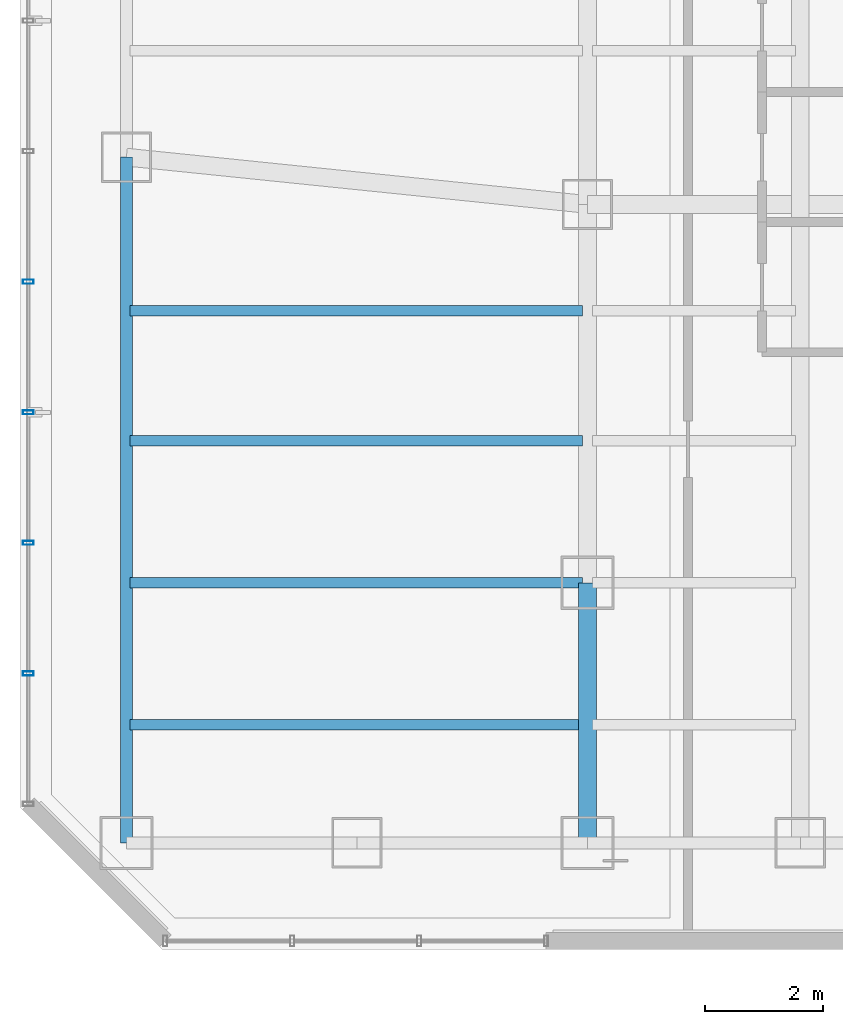
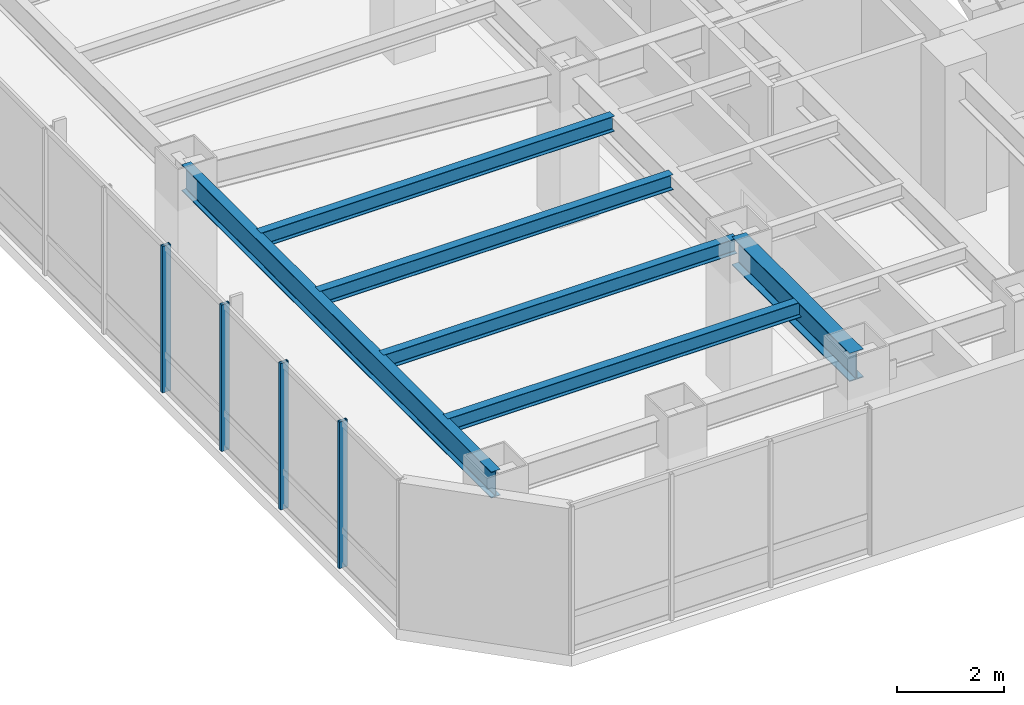
# One storey, part 4 of 29: 6 beams, 4 members, 1 element without a shape of its own.
"""IFC4 building model written with IfcOpenShell, lengths in metres."""

import ifcopenshell
import ifcopenshell.guid

model = None  # the IFC model being written
_history = None  # IfcOwnerHistory: only IFC2X3 demands one
_inside = {}  # id of a spatial element -> (the spatial element, [elements in it])
_under = {}  # id of a project, library or spatial element -> (it, [spatial elements below it])
_declared = {}  # id of a project -> (the project, [libraries it declares])
_typed = {}  # id of a type object -> (the type object, [elements of that type])
_made_of = {}  # id of a material, layer set ... -> (it, [elements and type objects made of it])


def new_model(schema):
    """Start an empty IFC model of exactly this schema.

    Asked for "IFC4X3", IfcOpenShell would pick the latest addendum, in which some entities
    have other attributes; the version numbers below select the first issue.
    IFC2X3 requires an IfcOwnerHistory on every rooted entity: one is made here for all.
    """
    global model, _history
    if schema == "IFC4X3":
        model = ifcopenshell.file(schema_version=(4, 3, 0, 0))
    else:
        model = ifcopenshell.file(schema=schema)
    _inside.clear()
    _under.clear()
    _declared.clear()
    _typed.clear()
    _made_of.clear()
    _history = None
    if model.schema == "IFC2X3":
        org = make("IfcOrganization", Name="unknown")
        user = make(
            "IfcPersonAndOrganization",
            ThePerson=make("IfcPerson", FamilyName="unknown"),
            TheOrganization=org,
        )
        app = make(
            "IfcApplication",
            ApplicationDeveloper=org,
            Version="unknown",
            ApplicationFullName="unknown",
            ApplicationIdentifier="unknown",
        )
        _history = make(
            "IfcOwnerHistory",
            OwningUser=user,
            OwningApplication=app,
            ChangeAction="ADDED",
            CreationDate=0,
        )
    return model


def make(cls, **values):
    """One entity of the class cls with the attributes given. An attribute that is None is left unset."""
    return model.create_entity(
        cls, **{name: value for name, value in values.items() if value is not None}
    )


def rooted(cls, **values):
    """An entity with a GlobalId (a new one), such as an element, a storey or a relation."""
    return make(cls, GlobalId=ifcopenshell.guid.new(), OwnerHistory=_history, **values)


def si_unit(unit_type, name, prefix=None):
    """IfcSIUnit, for example si_unit("LENGTHUNIT", "METRE", prefix="MILLI")."""
    return make("IfcSIUnit", UnitType=unit_type, Prefix=prefix, Name=name)


def assignment(units):
    """IfcUnitAssignment: the units of a project."""
    return None if units is None else make("IfcUnitAssignment", Units=units)


def point(xyz):
    """IfcCartesianPoint."""
    return None if xyz is None else make("IfcCartesianPoint", Coordinates=xyz)


def direction(xyz):
    """IfcDirection."""
    return None if xyz is None else make("IfcDirection", DirectionRatios=xyz)


def frame(location, z_axis=None, x_axis=None):
    """IfcAxis2Placement3D, a coordinate frame: its origin and axes. An axis left out is left unset."""
    return make(
        "IfcAxis2Placement3D",
        Location=point(location),
        Axis=direction(z_axis),
        RefDirection=direction(x_axis),
    )


def frame_2d(location, x_axis=None):
    """IfcAxis2Placement2D, a coordinate frame in the plane: its origin and x axis."""
    return make(
        "IfcAxis2Placement2D", Location=point(location), RefDirection=direction(x_axis)
    )


def origin():
    """The frame at (0, 0, 0) with its axes left unset."""
    return frame((0.0, 0.0, 0.0))


def origin_2d():
    """The frame at (0, 0) in the plane with its x axis left unset."""
    return frame_2d((0.0, 0.0))


def place(relative_to, where):
    """IfcLocalPlacement: puts the frame where relative to a parent placement (None: the world)."""
    return make(
        "IfcLocalPlacement", PlacementRelTo=relative_to, RelativePlacement=where
    )


def context(
    kind, dimensions, precision=None, world=None, true_north=None, identifier=None
):
    """IfcGeometricRepresentationContext, for example the 3D "Model" context."""
    return make(
        "IfcGeometricRepresentationContext",
        ContextIdentifier=identifier,
        ContextType=kind,
        CoordinateSpaceDimension=dimensions,
        Precision=precision,
        WorldCoordinateSystem=world,
        TrueNorth=true_north,
    )


def subcontext(parent, identifier, kind, view, scale=None):
    """IfcGeometricRepresentationSubContext, for example "Body" below "Model"."""
    return make(
        "IfcGeometricRepresentationSubContext",
        ContextIdentifier=identifier,
        ContextType=kind,
        ParentContext=parent,
        TargetScale=scale,
        TargetView=view,
    )


def project(units=None, contexts=None):
    """IfcProject with its units and contexts."""
    return rooted(
        "IfcProject",
        Name="project",
        RepresentationContexts=contexts,
        UnitsInContext=assignment(units),
    )


def spatial(cls, under=None, at=None, **own):
    """A site, building, storey or space (cls), placed at a placement, below another one or the project."""
    s = rooted(cls, ObjectPlacement=at, **own)
    if under is not None:
        _under.setdefault(under.id(), (under, []))[1].append(s)
    return s


def profile(cls, at=None, kind="AREA", **sizes):
    """A parametric profile (cls). Its sizes go by their IFC names, for example OverallWidth=200.0."""
    return make(cls, ProfileType=kind, Position=at, **sizes)


def hollow_rectangle(**sizes):
    """IfcRectangleHollowProfileDef."""
    return profile("IfcRectangleHollowProfileDef", **sizes)


def i_section(**sizes):
    """IfcIShapeProfileDef."""
    return profile("IfcIShapeProfileDef", **sizes)


def extrude(swept, where, along, depth):
    """IfcExtrudedAreaSolid: the profile swept, set in the frame where, extruded along a direction by depth."""
    return make(
        "IfcExtrudedAreaSolid",
        SweptArea=swept,
        Position=where,
        ExtrudedDirection=direction(along),
        Depth=depth,
    )


def shape(context_of_items, identifier, shape_type, items):
    """IfcShapeRepresentation: the items that make up one representation, for example the "Body"."""
    return make(
        "IfcShapeRepresentation",
        ContextOfItems=context_of_items,
        RepresentationIdentifier=identifier,
        RepresentationType=shape_type,
        Items=items,
    )


def material(Name=None, Category=None):
    """IfcMaterial."""
    return make("IfcMaterial", Name=Name, Category=Category)


def layer(
    of_material, thickness, ventilated=None, Name=None, Category=None, Priority=None
):
    """IfcMaterialLayer: one layer of a wall or slab, of a material (None: an air gap)."""
    return make(
        "IfcMaterialLayer",
        Material=of_material,
        LayerThickness=thickness,
        IsVentilated=ventilated,
        Name=Name,
        Category=Category,
        Priority=Priority,
    )


def layer_set(layers, Name=None):
    """IfcMaterialLayerSet."""
    return make("IfcMaterialLayerSet", MaterialLayers=layers, LayerSetName=Name)


def material_profile(
    of_material, cross_section, Name=None, Category=None, Priority=None
):
    """IfcMaterialProfile: a cross section and its material."""
    return make(
        "IfcMaterialProfile",
        Name=Name,
        Material=of_material,
        Profile=cross_section,
        Priority=Priority,
        Category=Category,
    )


def profile_set(profiles, Name=None, composite=None):
    """IfcMaterialProfileSet."""
    return make(
        "IfcMaterialProfileSet",
        Name=Name,
        MaterialProfiles=profiles,
        CompositeProfile=composite,
    )


def made_of(thing, what):
    """Note that an element or type object is made of a material, layer set ...; save() writes the relation."""
    if what is not None:
        _made_of.setdefault(what.id(), (what, []))[1].append(thing)
    return thing


def type_object(cls, material=None, **own):
    """A type object (cls), such as IfcWallType, which elements share."""
    return made_of(rooted(cls, **own), material)


def element(
    cls,
    number,
    at=None,
    inside=None,
    cuts=None,
    type_object=None,
    material=None,
    context=None,
    identifier="Body",
    shape_type=None,
    held_by="IfcProductDefinitionShape",
    body=None,
    shapes=None,
    **own,
):
    """One element of the class cls, such as IfcWall. Its Tag is "e" and its number.

    at: its placement. inside: the storey or other place that contains it. cuts: it is an
    opening in that element (IfcRelVoidsElement). A single representation is given by context,
    identifier, shape_type and body (its items); several are given by shapes. held_by: the class
    of the entity that holds the representations. save() writes the other relations.
    """
    e = rooted(cls, Tag="e%d" % number, ObjectPlacement=at, **own)
    if body is not None:
        shapes = [shape(context, identifier, shape_type, body)]
    if shapes is not None:
        e.Representation = make(held_by, Representations=shapes)
    if inside is not None:
        _inside.setdefault(inside.id(), (inside, []))[1].append(e)
    if cuts is not None:
        rooted(
            "IfcRelVoidsElement", RelatingBuildingElement=cuts, RelatedOpeningElement=e
        )
    if type_object is not None:
        _typed.setdefault(type_object.id(), (type_object, []))[1].append(e)
    return made_of(e, material)


def aggregate(whole, parts):
    """IfcRelAggregates: a whole, such as a stair, and the parts it consists of."""
    return rooted("IfcRelAggregates", RelatingObject=whole, RelatedObjects=parts)


def save(model, path):
    """Write the relations noted so far, then the file.

    IfcRelAggregates (storeys below a building ...), IfcRelContainedInSpatialStructure (elements
    in a storey), IfcRelDefinesByType, IfcRelAssociatesMaterial and IfcRelDeclares: one each for
    every whole, place, type object, material and project.
    """
    for whole, parts in _under.values():
        aggregate(whole, parts)
    for where, things in _inside.values():
        rooted(
            "IfcRelContainedInSpatialStructure",
            RelatedElements=things,
            RelatingStructure=where,
        )
    for kind, things in _typed.values():
        rooted("IfcRelDefinesByType", RelatedObjects=things, RelatingType=kind)
    for what, things in _made_of.values():
        rooted("IfcRelAssociatesMaterial", RelatedObjects=things, RelatingMaterial=what)
    for by, libraries in _declared.values():
        rooted("IfcRelDeclares", RelatingContext=by, RelatedDefinitions=libraries)
    model.write(path)


model = new_model("IFC4")

# Units and contexts
model_context = context("Model", 3, precision=1e-05, world=origin(), true_north=direction((0.0, 1.0)))
body_context = subcontext(model_context, "Body", "Model", "MODEL_VIEW")
ifc_project = project(units=[si_unit("LENGTHUNIT", "METRE"), si_unit("AREAUNIT", "SQUARE_METRE"), si_unit("VOLUMEUNIT", "CUBIC_METRE"), si_unit("PLANEANGLEUNIT", "RADIAN"), si_unit("MASSUNIT", "GRAM", prefix="KILO")], contexts=[model_context])

# Site, building, storey
site_placement = place(None, origin())
site = spatial("IfcSite", under=ifc_project, at=site_placement, CompositionType="ELEMENT")
building_placement = place(site_placement, origin())
building = spatial("IfcBuilding", under=site, at=building_placement, Name="Hatsunagi Terrace Concourse", CompositionType="ELEMENT")
storey_placement = place(building_placement, frame((0.0, 0.0, 104.85009765625)))
storey = spatial("IfcBuildingStorey", under=building, at=storey_placement, Name="L27", CompositionType="ELEMENT", Elevation=104.85009765625)

# Curtain wall, members
ifc_material_1 = material(Name="Anodised Aluminium Alloy 6063-T5", Category="aluminium")
ifc_layer = layer(ifc_material_1, 0.199951171875)
ifc_layer_set = layer_set([ifc_layer], Name="OfficeZone1_CW03")
curtain_wall_type = type_object("IfcCurtainWallType", Name="OfficeZone1_CW03", PredefinedType="NOTDEFINED", material=ifc_layer_set)
curtain_wall_placement = place(storey_placement, origin())
curtain_wall = element("IfcCurtainWall", 1, at=curtain_wall_placement, inside=storey, type_object=curtain_wall_type, Name="Unitised Curtain Wall CW-03 CW-L27-09", PredefinedType="NOTDEFINED")
ifc_material_2 = material(Name="Anodised Aluminium Alloy 6063-T5", Category="aluminium")
ifc_material_profile_1 = material_profile(ifc_material_2, hollow_rectangle(XDim=0.070068359375, YDim=0.179931640625, WallThickness=0.00390625, at=origin_2d()), Name="ALU-MUL-180x70x4")
ifc_profile_set_1 = profile_set([ifc_material_profile_1], Name="Anodised Aluminium Alloy 6063-T5")
member_type = type_object("IfcMemberType", Name="CurtainWallMullion_180x70", PredefinedType="MULLION", material=ifc_profile_set_1)
member_1_placement = place(storey_placement, frame((9.739990234375, 28.06591796875, 0.0), z_axis=(0.0, 0.0, 1.0), x_axis=(0.0, 1.0, 0.0)))
member_1 = element("IfcMember", 2, at=member_1_placement, type_object=member_type, Name="Curtain Wall Mullion MUL-02", PredefinedType="MULLION", context=body_context, shape_type="SweptSolid", body=[
    extrude(hollow_rectangle(XDim=0.070068359375, YDim=0.179931640625, WallThickness=0.00390625, at=origin_2d()), origin(), (0.0, 0.0, 1.0), 3.349853515625),
])
member_2_placement = place(storey_placement, frame((9.739990234375, 30.27490234375, 0.0), z_axis=(0.0, 0.0, 1.0), x_axis=(0.0, 1.0, 0.0)))
member_2 = element("IfcMember", 3, at=member_2_placement, type_object=member_type, Name="Curtain Wall Mullion MUL-02", PredefinedType="MULLION", context=body_context, shape_type="SweptSolid", body=[
    extrude(hollow_rectangle(XDim=0.070068359375, YDim=0.179931640625, WallThickness=0.00390625, at=origin_2d()), origin(), (0.0, 0.0, 1.0), 3.349853515625),
])
member_3_placement = place(storey_placement, frame((9.739990234375, 32.48291015625, 0.0), z_axis=(0.0, 0.0, 1.0), x_axis=(0.0, 1.0, 0.0)))
member_3 = element("IfcMember", 4, at=member_3_placement, type_object=member_type, Name="Curtain Wall Mullion MUL-02", PredefinedType="MULLION", context=body_context, shape_type="SweptSolid", body=[
    extrude(hollow_rectangle(XDim=0.070068359375, YDim=0.179931640625, WallThickness=0.00390625, at=origin_2d()), origin(), (0.0, 0.0, 1.0), 3.349853515625),
])
member_4_placement = place(storey_placement, frame((9.739990234375, 34.69189453125, 0.0), z_axis=(0.0, 0.0, 1.0), x_axis=(0.0, 1.0, 0.0)))
member_4 = element("IfcMember", 5, at=member_4_placement, type_object=member_type, Name="Curtain Wall Mullion MUL-02", PredefinedType="MULLION", context=body_context, shape_type="SweptSolid", body=[
    extrude(hollow_rectangle(XDim=0.070068359375, YDim=0.179931640625, WallThickness=0.00390625, at=origin_2d()), origin(), (0.0, 0.0, 1.0), 3.349853515625),
])
aggregate(curtain_wall, [member_1, member_2, member_3, member_4])

# Beams
ifc_material_3 = material(Name="Steel SN490B", Category="steel")
ifc_material_profile_2 = material_profile(ifc_material_3, i_section(OverallWidth=0.175048828125, OverallDepth=0.35009765625, WebThickness=0.007080078125, FlangeThickness=0.010986328125, FilletRadius=0.012939453125, at=origin_2d()), Name="H-350x175x7x11")
ifc_profile_set_2 = profile_set([ifc_material_profile_2], Name="Steel SN490B")
beam_type_1 = type_object("IfcBeamType", Name="HotelJoist_H_350x175", PredefinedType="JOIST", material=ifc_profile_set_2)
for number, where, z_axis, x_axis, name in (
    (6, (11.465087890625, 27.199951171875, 3.1748046875), (1.0, 0.0, 0.0), (0.0, 1.0, 0.0), "Beam J-02 J-L27-W-11-272"),
    (7, (11.465087890625, 29.60009765625, 3.1748046875), (1.0, 0.0, 0.0), (0.0, 1.0, 0.0), "Beam J-02 J-L27-W-11-296"),
    (8, (11.465087890625, 32.0, 3.1748046875), (1.0, 0.0, 0.0), (0.0, 1.0, 0.0), "Beam J-02 J-L27-W-11-320"),
    (9, (11.465087890625, 34.199951171875, 3.1748046875), (1.0, 0.0, 0.0), (0.0, 1.0, 0.0), "Beam J-02 J-L27-W-11-342"),
):
    element("IfcBeam", number, at=place(storey_placement, frame(where, z_axis=z_axis, x_axis=x_axis)), inside=storey, type_object=beam_type_1, Name=name, PredefinedType="JOIST", context=body_context, shape_type="SweptSolid", body=[
        extrude(i_section(OverallWidth=0.175048828125, OverallDepth=0.35009765625, WebThickness=0.007080078125, FlangeThickness=0.010986328125, FilletRadius=0.012939453125, at=origin_2d()), origin(), (0.0, 0.0, 1.0), 7.64990234375),
    ])
ifc_material_4 = material(Name="Steel SN490B", Category="steel")
ifc_material_profile_3 = material_profile(ifc_material_4, i_section(OverallWidth=0.300048828125, OverallDepth=0.64990234375, WebThickness=0.012939453125, FlangeThickness=0.02197265625, FilletRadius=0.01806640625, at=origin_2d()), Name="H-650x300x13x22")
ifc_profile_set_3 = profile_set([ifc_material_profile_3], Name="Steel SN490B")
beam_type_2 = type_object("IfcBeamType", Name="OfficeLowGirder_H_650x300", PredefinedType="BEAM", material=ifc_profile_set_3)
beam_1_placement = place(storey_placement, frame((19.199951171875, 25.199951171875, 3.02490234375), z_axis=(0.0, 1.0, 0.0), x_axis=(-1.0, 0.0, 0.0)))
element("IfcBeam", 10, at=beam_1_placement, inside=storey, type_object=beam_type_2, Name="Beam G-05 BM-L27-NS-19-25", PredefinedType="BEAM", context=body_context, shape_type="SweptSolid", body=[
    extrude(i_section(OverallWidth=0.300048828125, OverallDepth=0.64990234375, WebThickness=0.012939453125, FlangeThickness=0.02197265625, FilletRadius=0.01806640625, at=origin_2d()), origin(), (0.0, 0.0, 1.0), 4.400146484375),
])
ifc_material_5 = material(Name="Steel SN490B", Category="steel")
ifc_material_profile_4 = material_profile(ifc_material_5, i_section(OverallWidth=0.199951171875, OverallDepth=0.60009765625, WebThickness=0.010986328125, FlangeThickness=0.01708984375, FilletRadius=0.01806640625, at=origin_2d()), Name="H-600x200x11x17")
ifc_profile_set_4 = profile_set([ifc_material_profile_4], Name="Steel SN490B")
beam_type_3 = type_object("IfcBeamType", Name="PerimeterSpandrel_H_600x200", PredefinedType="SPANDREL", material=ifc_profile_set_4)
beam_2_placement = place(storey_placement, frame((11.39990234375, 25.199951171875, 3.0498046875), z_axis=(0.0, 1.0, 0.0), x_axis=(-1.0, 0.0, 0.0)))
element("IfcBeam", 11, at=beam_2_placement, inside=storey, type_object=beam_type_3, Name="Beam SP-01 BM-L27-NS-11-25", PredefinedType="SPANDREL", context=body_context, shape_type="SweptSolid", body=[
    extrude(i_section(OverallWidth=0.199951171875, OverallDepth=0.60009765625, WebThickness=0.010986328125, FlangeThickness=0.01708984375, FilletRadius=0.01806640625, at=origin_2d()), origin(), (0.0, 0.0, 1.0), 11.60009765625),
])

save(model, "model.ifc")
